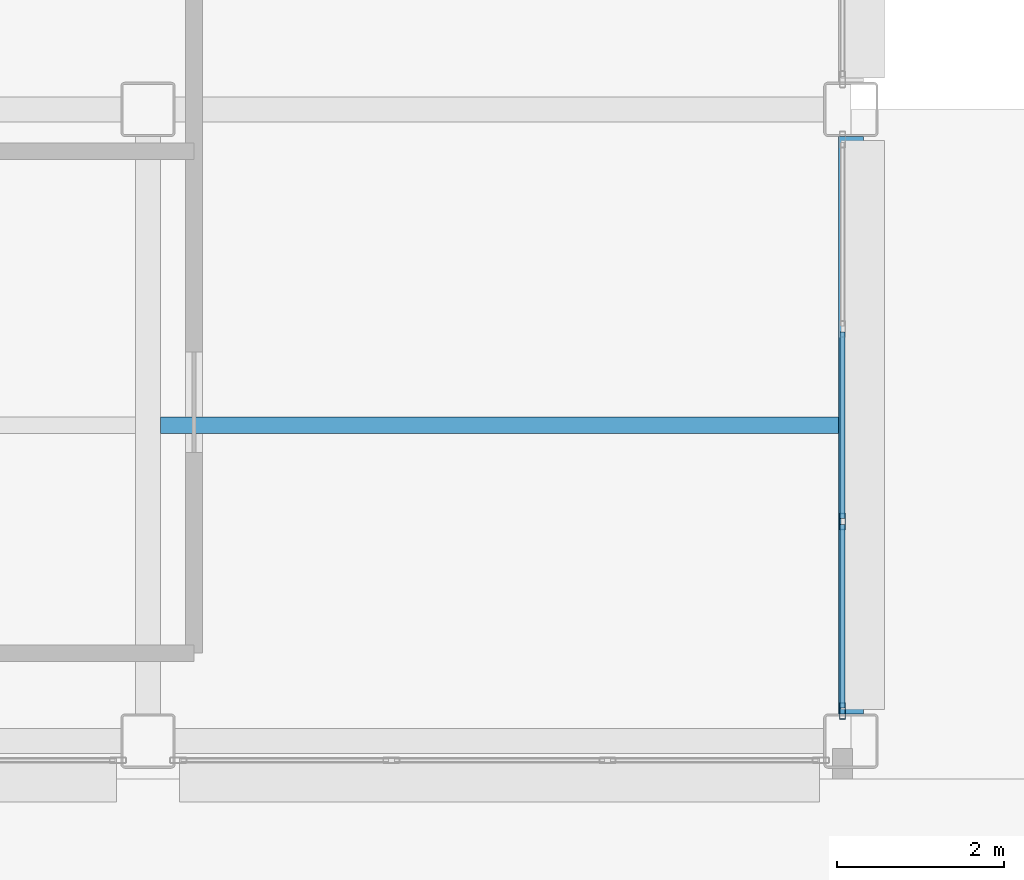
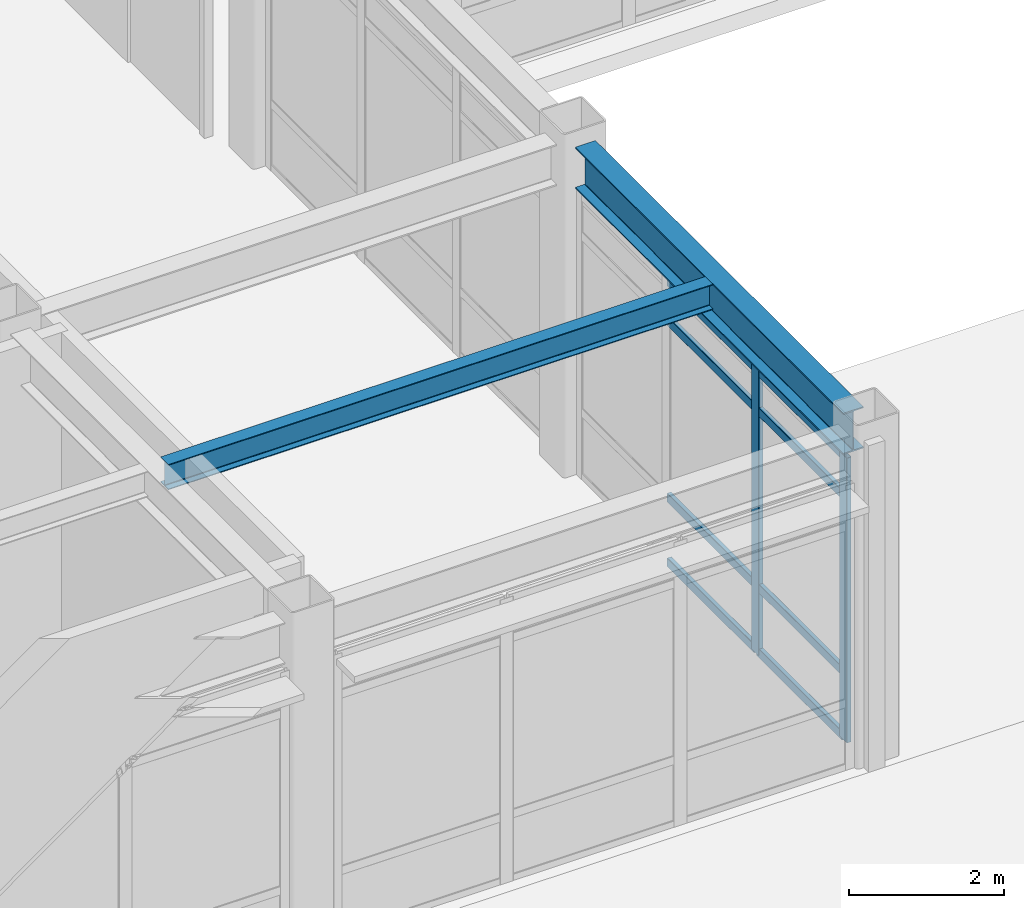
# One storey, part 35 of 165: 10 members, 2 beams, 1 element without a shape of its own.
"""IFC4 building model written with IfcOpenShell, lengths in metres."""

from ifc_helpers import new_model, si_unit, direction, frame, origin, origin_2d, place, context, subcontext, project, spatial, hollow_rectangle, i_section, extrude, material, layer, layer_set, material_profile, profile_set, type_object, element, aggregate, save


model = new_model("IFC4")

# Units and contexts
model_context = context("Model", 3, precision=1e-05, world=origin(), true_north=direction((0.0, 1.0)))
body_context = subcontext(model_context, "Body", "Model", "MODEL_VIEW")
ifc_project = project(units=[si_unit("LENGTHUNIT", "METRE"), si_unit("AREAUNIT", "SQUARE_METRE"), si_unit("VOLUMEUNIT", "CUBIC_METRE"), si_unit("PLANEANGLEUNIT", "RADIAN"), si_unit("MASSUNIT", "GRAM", prefix="KILO")], contexts=[model_context])

# Site, building, storey
site_placement = place(None, origin())
site = spatial("IfcSite", under=ifc_project, at=site_placement, CompositionType="ELEMENT")
building_placement = place(site_placement, origin())
building = spatial("IfcBuilding", under=site, at=building_placement, Name="Kazehara Bluff Congress Hotel", CompositionType="ELEMENT")
storey_placement = place(building_placement, origin())
storey = spatial("IfcBuildingStorey", under=building, at=storey_placement, Name="L00", CompositionType="ELEMENT", Elevation=0.0)

# Curtain wall, members
ifc_material_1 = material(Name="Anodised aluminium", Category="aluminium")
ifc_layer = layer(ifc_material_1, 0.159912109375)
ifc_layer_set = layer_set([ifc_layer], Name="Anodised aluminium")
curtain_wall_type = type_object("IfcCurtainWallType", Name="TP-CW-51", PredefinedType="NOTDEFINED", material=ifc_layer_set)
curtain_wall_placement = place(storey_placement, origin())
curtain_wall = element("IfcCurtainWall", 1, at=curtain_wall_placement, inside=storey, type_object=curtain_wall_type, Name="L00 curtain wall CW-51 CW-ENC-V4-L00-7595-422", PredefinedType="NOTDEFINED")
ifc_material_2 = material(Name="Anodised aluminium", Category="aluminium")
ifc_material_profile_1 = material_profile(ifc_material_2, hollow_rectangle(XDim=0.070068359375, YDim=0.199951171875, WallThickness=0.0048828125, InnerFilletRadius=0.0048828125, OuterFilletRadius=0.010009765625, at=origin_2d()))
ifc_profile_set_1 = profile_set([ifc_material_profile_1], Name="Anodised aluminium")
member_type_1 = type_object("IfcMemberType", Name="TP-CWM-03", PredefinedType="MULLION", material=ifc_profile_set_1)
member_1_placement = place(storey_placement, frame((75.949951171875, 3.074951171875, 0.0), z_axis=(0.0, 0.0, 1.0), x_axis=(1.0, 0.0, 0.0)))
member_1 = element("IfcMember", 2, at=member_1_placement, type_object=member_type_1, Name="CW-51 mullion 3", PredefinedType="MULLION", context=body_context, shape_type="SweptSolid", body=[
    extrude(hollow_rectangle(XDim=0.070068359375, YDim=0.199951171875, WallThickness=0.0048828125, InnerFilletRadius=0.0048828125, OuterFilletRadius=0.010009765625, at=origin_2d()), origin(), (0.0, 0.0, 1.0), 4.47509765625),
])
member_2_placement = place(storey_placement, frame((75.949951171875, 0.81005859375, 0.0), z_axis=(0.0, 0.0, 1.0), x_axis=(1.0, 0.0, 0.0)))
member_2 = element("IfcMember", 3, at=member_2_placement, type_object=member_type_1, Name="CW-51 mullion 4", PredefinedType="MULLION", context=body_context, shape_type="SweptSolid", body=[
    extrude(hollow_rectangle(XDim=0.070068359375, YDim=0.199951171875, WallThickness=0.0048828125, InnerFilletRadius=0.0048828125, OuterFilletRadius=0.010009765625, at=origin_2d()), origin(), (0.0, 0.0, 1.0), 4.47509765625),
])
ifc_material_3 = material(Name="Anodised aluminium", Category="aluminium")
ifc_material_profile_2 = material_profile(ifc_material_3, hollow_rectangle(XDim=0.06494140625, YDim=0.139892578125, WallThickness=0.00390625, InnerFilletRadius=0.00390625, OuterFilletRadius=0.008056640625, at=origin_2d()))
ifc_profile_set_2 = profile_set([ifc_material_profile_2], Name="Anodised aluminium")
member_type_2 = type_object("IfcMemberType", Name="TP-CWT-02", PredefinedType="USERDEFINED", material=ifc_profile_set_2)
member_3_placement = place(storey_placement, frame((75.949951171875, 5.340087890625, 0.032470703125), z_axis=(0.0, -1.0, 0.0), x_axis=(1.0, 0.0, 0.0)))
member_3 = element("IfcMember", 4, at=member_3_placement, type_object=member_type_2, Name="CW-51 transom 2.1", ObjectType="TRANSOM", PredefinedType="USERDEFINED", context=body_context, shape_type="SweptSolid", body=[
    extrude(hollow_rectangle(XDim=0.06494140625, YDim=0.139892578125, WallThickness=0.00390625, InnerFilletRadius=0.00390625, OuterFilletRadius=0.008056640625, at=origin_2d()), origin(), (0.0, 0.0, 1.0), 2.22998046875),
])
member_4_placement = place(storey_placement, frame((75.949951171875, 5.340087890625, 1.050048828125), z_axis=(0.0, -1.0, 0.0), x_axis=(1.0, 0.0, 0.0)))
member_4 = element("IfcMember", 5, at=member_4_placement, type_object=member_type_2, Name="CW-51 transom 2.2", ObjectType="TRANSOM", PredefinedType="USERDEFINED", context=body_context, shape_type="SweptSolid", body=[
    extrude(hollow_rectangle(XDim=0.06494140625, YDim=0.139892578125, WallThickness=0.00390625, InnerFilletRadius=0.00390625, OuterFilletRadius=0.008056640625, at=origin_2d()), origin(), (0.0, 0.0, 1.0), 2.22998046875),
])
member_5_placement = place(storey_placement, frame((75.949951171875, 5.340087890625, 3.824951171875), z_axis=(0.0, -1.0, 0.0), x_axis=(1.0, 0.0, 0.0)))
member_5 = element("IfcMember", 6, at=member_5_placement, type_object=member_type_2, Name="CW-51 transom 2.3", ObjectType="TRANSOM", PredefinedType="USERDEFINED", context=body_context, shape_type="SweptSolid", body=[
    extrude(hollow_rectangle(XDim=0.06494140625, YDim=0.139892578125, WallThickness=0.00390625, InnerFilletRadius=0.00390625, OuterFilletRadius=0.008056640625, at=origin_2d()), origin(), (0.0, 0.0, 1.0), 2.22998046875),
])
member_6_placement = place(storey_placement, frame((75.949951171875, 5.340087890625, 4.4423828125), z_axis=(0.0, -1.0, 0.0), x_axis=(1.0, 0.0, 0.0)))
member_6 = element("IfcMember", 7, at=member_6_placement, type_object=member_type_2, Name="CW-51 transom 2.4", ObjectType="TRANSOM", PredefinedType="USERDEFINED", context=body_context, shape_type="SweptSolid", body=[
    extrude(hollow_rectangle(XDim=0.06494140625, YDim=0.139892578125, WallThickness=0.00390625, InnerFilletRadius=0.00390625, OuterFilletRadius=0.008056640625, at=origin_2d()), origin(), (0.0, 0.0, 1.0), 2.22998046875),
])
member_7_placement = place(storey_placement, frame((75.949951171875, 3.0400390625, 0.032470703125), z_axis=(0.0, -1.0, 0.0), x_axis=(1.0, 0.0, 0.0)))
member_7 = element("IfcMember", 8, at=member_7_placement, type_object=member_type_2, Name="CW-51 transom 3.1", ObjectType="TRANSOM", PredefinedType="USERDEFINED", context=body_context, shape_type="SweptSolid", body=[
    extrude(hollow_rectangle(XDim=0.06494140625, YDim=0.139892578125, WallThickness=0.00390625, InnerFilletRadius=0.00390625, OuterFilletRadius=0.008056640625, at=origin_2d()), origin(), (0.0, 0.0, 1.0), 2.195068359375),
])
member_8_placement = place(storey_placement, frame((75.949951171875, 3.0400390625, 1.050048828125), z_axis=(0.0, -1.0, 0.0), x_axis=(1.0, 0.0, 0.0)))
member_8 = element("IfcMember", 9, at=member_8_placement, type_object=member_type_2, Name="CW-51 transom 3.2", ObjectType="TRANSOM", PredefinedType="USERDEFINED", context=body_context, shape_type="SweptSolid", body=[
    extrude(hollow_rectangle(XDim=0.06494140625, YDim=0.139892578125, WallThickness=0.00390625, InnerFilletRadius=0.00390625, OuterFilletRadius=0.008056640625, at=origin_2d()), origin(), (0.0, 0.0, 1.0), 2.195068359375),
])
member_9_placement = place(storey_placement, frame((75.949951171875, 3.0400390625, 3.824951171875), z_axis=(0.0, -1.0, 0.0), x_axis=(1.0, 0.0, 0.0)))
member_9 = element("IfcMember", 10, at=member_9_placement, type_object=member_type_2, Name="CW-51 transom 3.3", ObjectType="TRANSOM", PredefinedType="USERDEFINED", context=body_context, shape_type="SweptSolid", body=[
    extrude(hollow_rectangle(XDim=0.06494140625, YDim=0.139892578125, WallThickness=0.00390625, InnerFilletRadius=0.00390625, OuterFilletRadius=0.008056640625, at=origin_2d()), origin(), (0.0, 0.0, 1.0), 2.195068359375),
])
member_10_placement = place(storey_placement, frame((75.949951171875, 3.0400390625, 4.4423828125), z_axis=(0.0, -1.0, 0.0), x_axis=(1.0, 0.0, 0.0)))
member_10 = element("IfcMember", 11, at=member_10_placement, type_object=member_type_2, Name="CW-51 transom 3.4", ObjectType="TRANSOM", PredefinedType="USERDEFINED", context=body_context, shape_type="SweptSolid", body=[
    extrude(hollow_rectangle(XDim=0.06494140625, YDim=0.139892578125, WallThickness=0.00390625, InnerFilletRadius=0.00390625, OuterFilletRadius=0.008056640625, at=origin_2d()), origin(), (0.0, 0.0, 1.0), 2.195068359375),
])
aggregate(curtain_wall, [member_1, member_2, member_3, member_4, member_5, member_6, member_7, member_8, member_9, member_10])

# Beams
ifc_material_4 = material(Name="Steel SN490B", Category="steel")
ifc_material_profile_3 = material_profile(ifc_material_4, i_section(OverallWidth=0.300048828125, OverallDepth=0.64990234375, WebThickness=0.011962890625, FlangeThickness=0.02001953125, FilletRadius=0.012939453125, at=origin_2d()))
ifc_profile_set_3 = profile_set([ifc_material_profile_3], Name="Steel SN490B")
beam_type_1 = type_object("IfcBeamType", Name="TP-G-03", PredefinedType="BEAM", material=ifc_profile_set_3)
beam_1_placement = place(storey_placement, frame((76.050048828125, 0.77490234375, 4.824951171875), z_axis=(0.0, 1.0, 0.0), x_axis=(-1.0, 0.0, 0.0)))
element("IfcBeam", 12, at=beam_1_placement, inside=storey, type_object=beam_type_1, Name="L00 girder G-03 162", PredefinedType="BEAM", context=body_context, shape_type="SweptSolid", body=[
    extrude(i_section(OverallWidth=0.300048828125, OverallDepth=0.64990234375, WebThickness=0.011962890625, FlangeThickness=0.02001953125, FilletRadius=0.012939453125, at=origin_2d()), origin(), (0.0, 0.0, 1.0), 6.900146484375),
])
ifc_material_5 = material(Name="Steel SN400B", Category="steel")
ifc_material_profile_4 = material_profile(ifc_material_5, i_section(OverallWidth=0.199951171875, OverallDepth=0.39990234375, WebThickness=0.008056640625, FlangeThickness=0.012939453125, FilletRadius=0.012939453125, at=origin_2d()))
ifc_profile_set_4 = profile_set([ifc_material_profile_4], Name="Steel SN400B")
beam_type_2 = type_object("IfcBeamType", Name="TP-J-03", PredefinedType="JOIST", material=ifc_profile_set_4)
beam_2_placement = place(storey_placement, frame((67.800048828125, 4.22509765625, 4.949951171875), z_axis=(1.0, 0.0, 0.0), x_axis=(0.0, 1.0, 0.0)))
element("IfcBeam", 13, at=beam_2_placement, inside=storey, type_object=beam_type_2, Name="L00 secondary joist J-03 37", PredefinedType="JOIST", context=body_context, shape_type="SweptSolid", body=[
    extrude(i_section(OverallWidth=0.199951171875, OverallDepth=0.39990234375, WebThickness=0.008056640625, FlangeThickness=0.012939453125, FilletRadius=0.012939453125, at=origin_2d()), origin(), (0.0, 0.0, 1.0), 8.099853515625),
])

save(model, "model.ifc")
